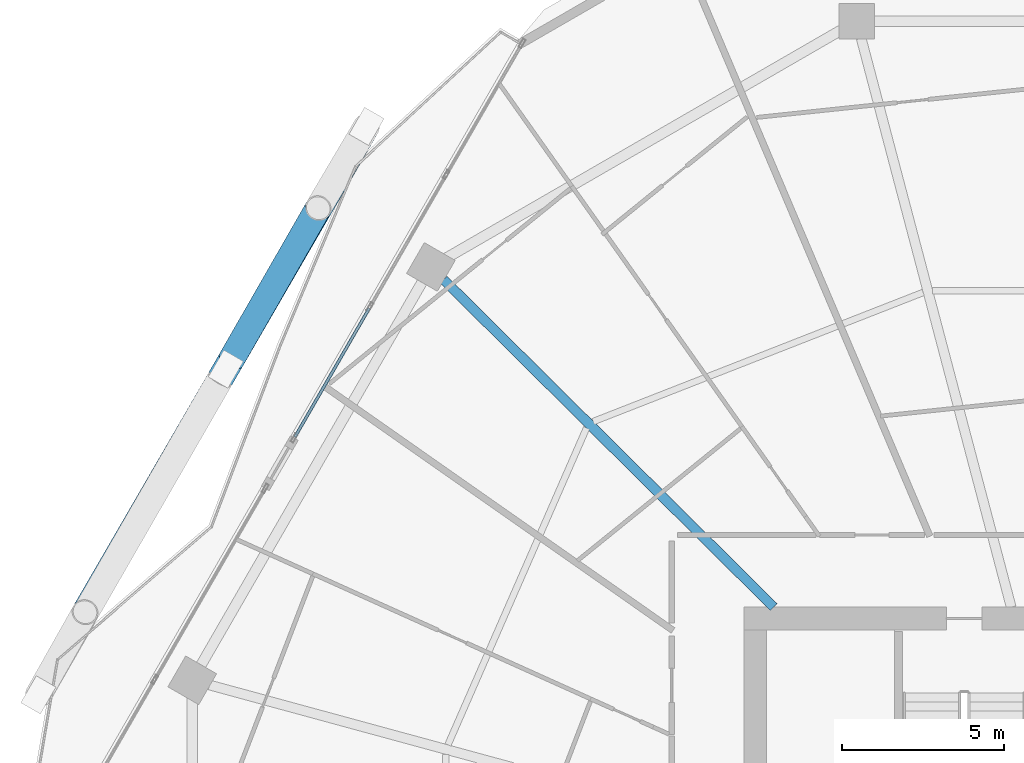
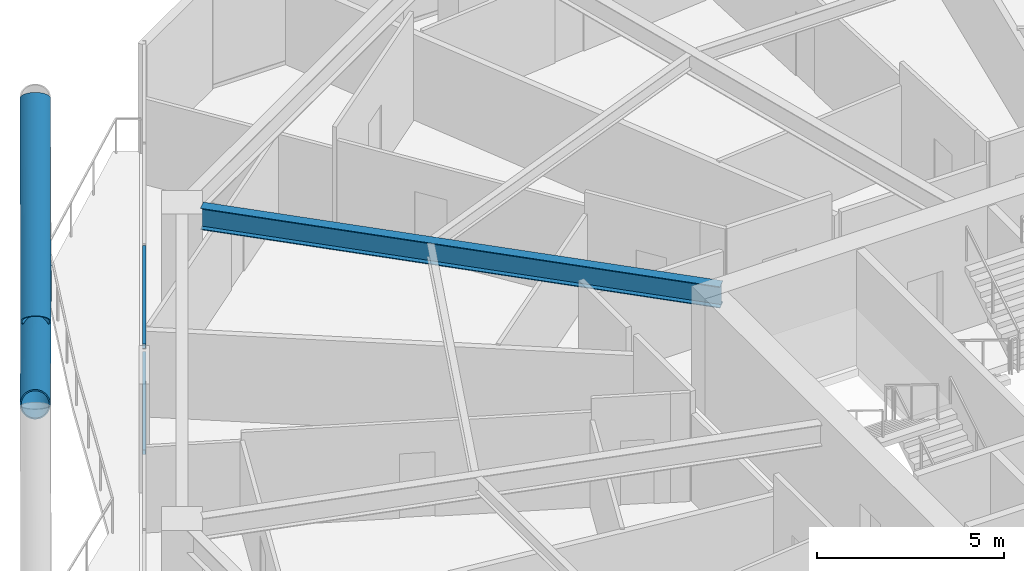
# One storey, part 17 of 36: 4 members, 1 beam, 1 element without a shape of its own.
"""IFC4 building model written with IfcOpenShell, lengths in metres."""

from ifc_helpers import new_model, si_unit, direction, frame, origin, origin_2d, place, context, subcontext, project, spatial, hollow_rectangle, hollow_circle, i_section, extrude, material, material_profile, profile_set, type_object, element, aggregate, save


model = new_model("IFC4")

# Units and contexts
model_context = context("Model", 3, precision=1e-05, world=origin(), true_north=direction((0.0, 1.0)))
body_context = subcontext(model_context, "Body", "Model", "MODEL_VIEW")
ifc_project = project(units=[si_unit("LENGTHUNIT", "METRE"), si_unit("AREAUNIT", "SQUARE_METRE"), si_unit("VOLUMEUNIT", "CUBIC_METRE"), si_unit("PLANEANGLEUNIT", "RADIAN"), si_unit("MASSUNIT", "GRAM", prefix="KILO")], contexts=[model_context])

# Site, building, storey
site_placement = place(None, origin())
site = spatial("IfcSite", under=ifc_project, at=site_placement, CompositionType="ELEMENT")
building_placement = place(site_placement, origin())
building = spatial("IfcBuilding", under=site, at=building_placement, Name="Zuhravey Tower", CompositionType="ELEMENT")
storey_placement = place(building_placement, frame((0.0, 0.0, 107.60009765625)))
storey = spatial("IfcBuildingStorey", under=building, at=storey_placement, Name="L26", CompositionType="ELEMENT", Elevation=107.60009765625)

# Curtain wall, members
ifc_material_1 = material(Name="Thermally broken anodised aluminium", Category="aluminium")
curtain_wall_type = type_object("IfcCurtainWallType", Name="Zone 1-2 Residential Curtain Wall CW3", PredefinedType="NOTDEFINED", material=ifc_material_1)
curtain_wall_placement = place(storey_placement, origin())
curtain_wall = element("IfcCurtainWall", 1, at=curtain_wall_placement, inside=storey, type_object=curtain_wall_type, Name="L26 CW3 CW-L26-F3-2", PredefinedType="NOTDEFINED")
ifc_material_2 = material(Name="Anodised aluminium", Category="aluminium")
ifc_material_profile_1 = material_profile(ifc_material_2, hollow_rectangle(XDim=0.090087890625, YDim=0.14990234375, WallThickness=0.0048828125, at=origin_2d()), Name="ALU-RHS-90x150x5")
ifc_profile_set_1 = profile_set([ifc_material_profile_1], Name="Anodised aluminium")
member_type_1 = type_object("IfcMemberType", Name="Curtain-Wall Transom 90x150", PredefinedType="USERDEFINED", material=ifc_profile_set_1)
member_1_placement = place(storey_placement, frame((11.284423828125, 47.1083984375, 0.044921875), z_axis=(0.499986657325, 0.866033107044, 0.0), x_axis=(-0.866033107044, 0.499986657325, 0.0)))
member_1 = element("IfcMember", 2, at=member_1_placement, type_object=member_type_1, Name="CW3 transom 1.1", ObjectType="TRANSOM", PredefinedType="USERDEFINED", context=body_context, shape_type="SweptSolid", body=[
    extrude(hollow_rectangle(XDim=0.090087890625, YDim=0.14990234375, WallThickness=0.0048828125, at=origin_2d()), origin(), (0.0, 0.0, 1.0), 4.586181640625),
])
member_2_placement = place(storey_placement, frame((11.284423828125, 47.1083984375, 3.5048828125), z_axis=(0.499986657325, 0.866033107044, 0.0), x_axis=(-0.866033107044, 0.499986657325, 0.0)))
member_2 = element("IfcMember", 3, at=member_2_placement, type_object=member_type_1, Name="CW3 transom 1.2", ObjectType="TRANSOM", PredefinedType="USERDEFINED", context=body_context, shape_type="SweptSolid", body=[
    extrude(hollow_rectangle(XDim=0.090087890625, YDim=0.14990234375, WallThickness=0.0048828125, at=origin_2d()), origin(), (0.0, 0.0, 1.0), 4.586181640625),
])
aggregate(curtain_wall, [member_1, member_2])

# Members
ifc_material_3 = material(Name="Steel SM460", Category="steel")
ifc_material_profile_2 = material_profile(ifc_material_3, hollow_circle(Radius=0.406494140625, WallThickness=0.035888671875, at=origin_2d()), Name="CHS-812.8x36")
ifc_profile_set_2 = profile_set([ifc_material_profile_2], Name="Steel SM460")
member_type_2 = type_object("IfcMemberType", Name="Exoskeleton Zone 1 Diagrid CHS813x36", PredefinedType="BRACE", material=ifc_profile_set_2)
member_3_placement = place(storey_placement, frame((13.470458984375, 56.654541015625, -0.442138671875), z_axis=(-0.459281405283, -0.792316870803, 0.401614948678), x_axis=(0.865155504501, -0.501503691942, 0.0)))
element("IfcMember", 4, at=member_3_placement, inside=storey, type_object=member_type_2, Name="L26 Face 3 Diagrid Brace 2", PredefinedType="BRACE", context=body_context, shape_type="SweptSolid", body=[
    extrude(hollow_circle(Radius=0.406494140625, WallThickness=0.035888671875, at=origin_2d()), origin(), (0.0, 0.0, 1.0), 18.814453125),
])
member_4_placement = place(storey_placement, frame((9.314208984375, 49.487548828125, 3.55517578125), z_axis=(0.414631275395, 0.72252352705, 0.553209416336), x_axis=(-0.867331221622, 0.497731405479, 0.0)))
element("IfcMember", 5, at=member_4_placement, inside=storey, type_object=member_type_2, Name="L26 Face 3 Split Diagrid Brace 3B", PredefinedType="BRACE", context=body_context, shape_type="SweptSolid", body=[
    extrude(hollow_circle(Radius=0.406494140625, WallThickness=0.035888671875, at=origin_2d()), origin(), (0.0, 0.0, 1.0), 6.41796875),
])

# Beam
ifc_material_4 = material(Name="Steel SM355", Category="steel")
ifc_material_profile_3 = material_profile(ifc_material_4, i_section(OverallWidth=0.300048828125, OverallDepth=0.699951171875, WebThickness=0.012939453125, FlangeThickness=0.02392578125, at=origin_2d()), Name="H-700x300x13x24")
ifc_profile_set_3 = profile_set([ifc_material_profile_3], Name="Steel SM355")
beam_type = type_object("IfcBeamType", Name="Radial Primary Girder H700x300", PredefinedType="BEAM", material=ifc_profile_set_3)
beam_placement = place(storey_placement, frame((26.068603515625, 41.85302734375, 3.199951171875), z_axis=(-0.709906230344, 0.704296204816, 0.0), x_axis=(-0.704296204816, -0.709906230344, 0.0)))
element("IfcBeam", 6, at=beam_placement, inside=storey, type_object=beam_type, Name="L26 RG1 BM-L26-RAD-05", PredefinedType="BEAM", context=body_context, shape_type="SweptSolid", body=[
    extrude(i_section(OverallWidth=0.300048828125, OverallDepth=0.699951171875, WebThickness=0.012939453125, FlangeThickness=0.02392578125, at=origin_2d()), origin(), (0.0, 0.0, 1.0), 14.361083984375),
])

save(model, "model.ifc")
